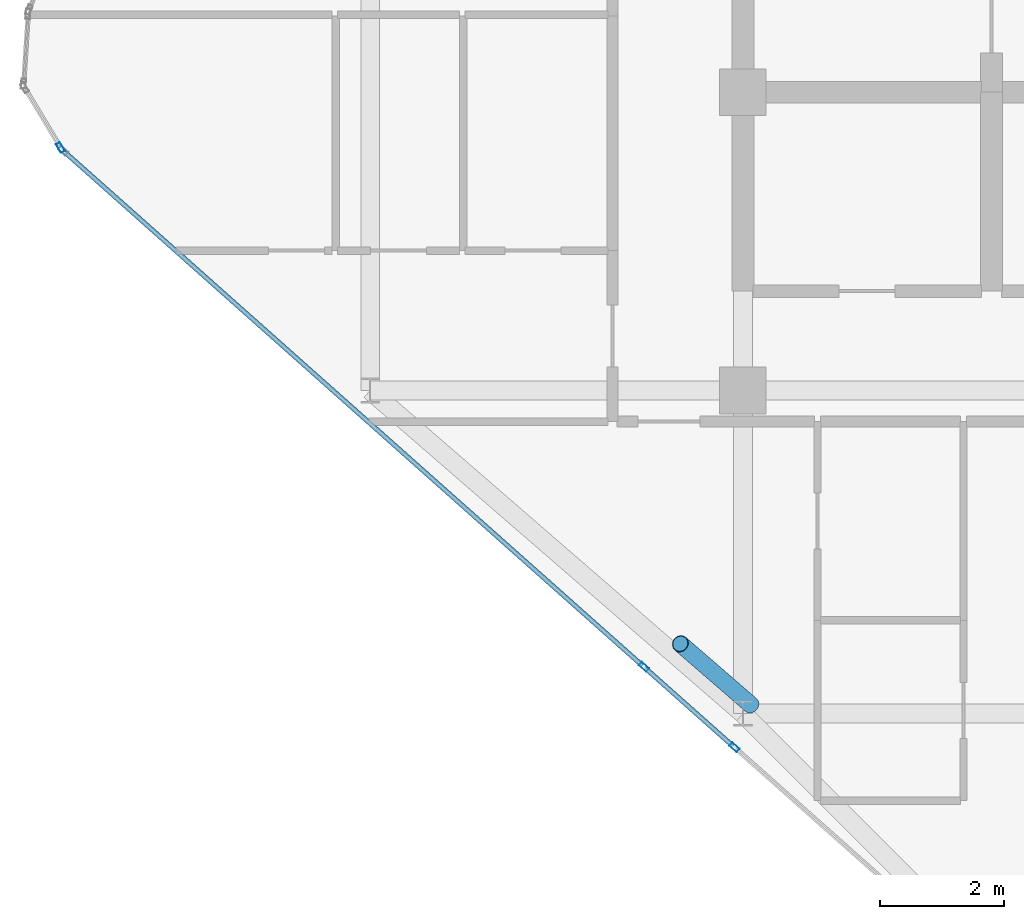
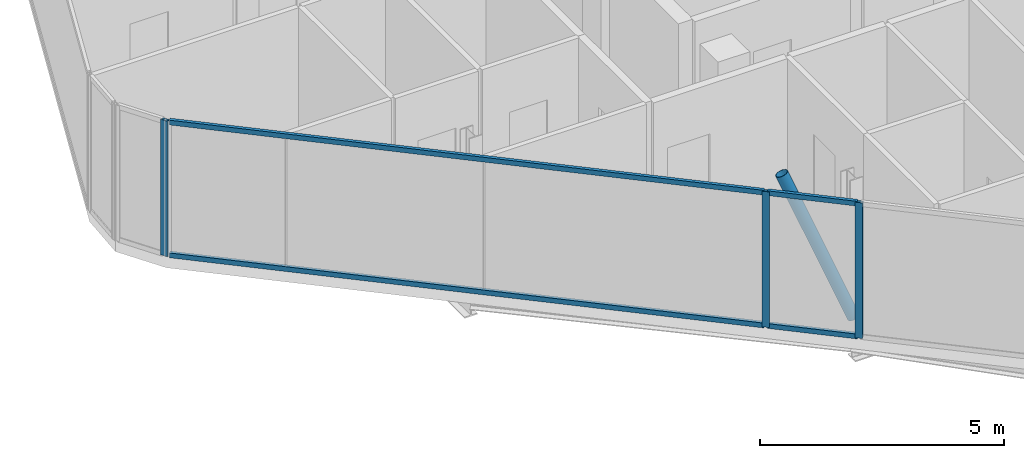
# One storey, part 3 of 27: 8 members, 4 elements without a shape of their own.
"""IFC4 building model written with IfcOpenShell, lengths in metres."""

from ifc_helpers import new_model, si_unit, direction, frame, origin, origin_2d, place, context, subcontext, project, spatial, hollow_rectangle, hollow_circle, extrude, material, layer, layer_set, material_profile, profile_set, type_object, element, aggregate, save


model = new_model("IFC4")

# Units and contexts
model_context = context("Model", 3, precision=1e-05, world=origin(), true_north=direction((0.0, 1.0)))
body_context = subcontext(model_context, "Body", "Model", "MODEL_VIEW")
ifc_project = project(units=[si_unit("LENGTHUNIT", "METRE"), si_unit("AREAUNIT", "SQUARE_METRE"), si_unit("VOLUMEUNIT", "CUBIC_METRE"), si_unit("PLANEANGLEUNIT", "RADIAN"), si_unit("MASSUNIT", "GRAM", prefix="KILO")], contexts=[model_context])

# Site, building, storey
site_placement = place(None, origin())
site = spatial("IfcSite", under=ifc_project, at=site_placement, CompositionType="ELEMENT")
building_placement = place(site_placement, origin())
building = spatial("IfcBuilding", under=site, at=building_placement, Name="Keshet Zoharim Tower", CompositionType="ELEMENT")
storey_placement = place(building_placement, frame((0.0, 0.0, 269.5)))
storey = spatial("IfcBuildingStorey", under=building, at=storey_placement, Name="L67", CompositionType="ELEMENT", Elevation=269.5)

# Curtain wall, member
ifc_material_1 = material(Name="Aluminium 6063-T6", Category="aluminium")
ifc_layer = layer(ifc_material_1, 0.260009765625)
ifc_layer_set = layer_set([ifc_layer], Name="Aluminium 6063-T6")
curtain_wall_type = type_object("IfcCurtainWallType", Name="CW-SYS-06", PredefinedType="NOTDEFINED", material=ifc_layer_set)
curtain_wall_1_placement = place(storey_placement, origin())
curtain_wall_1 = element("IfcCurtainWall", 1, at=curtain_wall_1_placement, inside=storey, type_object=curtain_wall_type, Name="L67 Unitised Curtain Wall 01", PredefinedType="NOTDEFINED")
ifc_material_profile_1 = material_profile(ifc_material_1, hollow_rectangle(XDim=0.074951171875, YDim=0.159912109375, WallThickness=0.00390625, at=origin_2d()), Name="MUL-75x160")
ifc_profile_set_1 = profile_set([ifc_material_profile_1], Name="Aluminium 6063-T6")
member_type_1 = type_object("IfcMemberType", Name="CWM-M15", PredefinedType="MULLION", material=ifc_profile_set_1)
member_1_placement = place(storey_placement, frame((4.016845703125, 21.81005859375, 0.0), z_axis=(0.0, 0.0, 1.0), x_axis=(-0.856826433805, -0.515604947933, 0.0)))
member_1 = element("IfcMember", 2, at=member_1_placement, type_object=member_type_1, Name="CW-06 mullion 1", PredefinedType="MULLION", context=body_context, shape_type="SweptSolid", body=[
    extrude(hollow_rectangle(XDim=0.074951171875, YDim=0.159912109375, WallThickness=0.00390625, at=origin_2d()), origin(), (0.0, 0.0, 1.0), 3.389892578125),
])
aggregate(curtain_wall_1, [member_1])

curtain_wall_2_placement = place(storey_placement, origin())
curtain_wall_2 = element("IfcCurtainWall", 3, at=curtain_wall_2_placement, inside=storey, type_object=curtain_wall_type, Name="L67 Unitised Curtain Wall 16", PredefinedType="NOTDEFINED")
member_2_placement = place(storey_placement, frame((14.863037109375, 12.155029296875, 0.0), z_axis=(0.0, 0.0, 1.0), x_axis=(-0.664362180559, -0.747410792699, 0.0)))
member_2 = element("IfcMember", 4, at=member_2_placement, type_object=member_type_1, Name="CW-06 mullion 2", PredefinedType="MULLION", context=body_context, shape_type="SweptSolid", body=[
    extrude(hollow_rectangle(XDim=0.074951171875, YDim=0.159912109375, WallThickness=0.00390625, at=origin_2d()), origin(), (0.0, 0.0, 1.0), 3.389892578125),
])
aggregate(curtain_wall_2, [member_2])

# Curtain wall, members
curtain_wall_3_placement = place(storey_placement, origin())
curtain_wall_3 = element("IfcCurtainWall", 5, at=curtain_wall_3_placement, inside=storey, type_object=curtain_wall_type, Name="L67 Unitised Curtain Wall 16 Part 2", PredefinedType="NOTDEFINED")
member_3_placement = place(storey_placement, frame((13.40576171875, 13.450439453125, 0.0), z_axis=(0.0, 0.0, 1.0), x_axis=(-0.664338369143, -0.747431957629, 0.0)))
member_3 = element("IfcMember", 6, at=member_3_placement, type_object=member_type_1, Name="CW-06 mullion 2", PredefinedType="MULLION", context=body_context, shape_type="SweptSolid", body=[
    extrude(hollow_rectangle(XDim=0.074951171875, YDim=0.159912109375, WallThickness=0.00390625, at=origin_2d()), origin(), (0.0, 0.0, 1.0), 3.389892578125),
])
ifc_material_profile_2 = material_profile(ifc_material_1, hollow_rectangle(XDim=0.074951171875, YDim=0.1201171875, WallThickness=0.00390625, at=origin_2d()), Name="TRN-75x120")
ifc_profile_set_2 = profile_set([ifc_material_profile_2], Name="Aluminium 6063-T6")
member_type_2 = type_object("IfcMemberType", Name="CWT-T12", PredefinedType="USERDEFINED", material=ifc_profile_set_2)
member_4_placement = place(storey_placement, frame((14.8369140625, 12.178466796875, 0.034912109375), z_axis=(-0.747452318941, 0.664315460387, 0.0), x_axis=(-0.664315460387, -0.747452318941, 0.0)))
member_4 = element("IfcMember", 7, at=member_4_placement, type_object=member_type_2, Name="CW-06 transom 1.1", ObjectType="TRANSOM", PredefinedType="USERDEFINED", context=body_context, shape_type="SweptSolid", body=[
    extrude(hollow_rectangle(XDim=0.074951171875, YDim=0.1201171875, WallThickness=0.00390625, at=origin_2d()), origin(), (0.0, 0.0, 1.0), 1.87939453125),
])
member_5_placement = place(storey_placement, frame((14.8369140625, 12.178466796875, 3.35498046875), z_axis=(-0.747452318941, 0.664315460387, 0.0), x_axis=(-0.664315460387, -0.747452318941, 0.0)))
member_5 = element("IfcMember", 8, at=member_5_placement, type_object=member_type_2, Name="CW-06 transom 1.2", ObjectType="TRANSOM", PredefinedType="USERDEFINED", context=body_context, shape_type="SweptSolid", body=[
    extrude(hollow_rectangle(XDim=0.074951171875, YDim=0.1201171875, WallThickness=0.00390625, at=origin_2d()), origin(), (0.0, 0.0, 1.0), 1.87939453125),
])
aggregate(curtain_wall_3, [member_3, member_4, member_5])

curtain_wall_4_placement = place(storey_placement, origin())
curtain_wall_4 = element("IfcCurtainWall", 9, at=curtain_wall_4_placement, inside=storey, type_object=curtain_wall_type, Name="L67 Unitised Curtain Wall 16 Part 3", PredefinedType="NOTDEFINED")
member_6_placement = place(storey_placement, frame((13.379638671875, 13.4736328125, 0.034912109375), z_axis=(-0.747409318684, 0.66436383883, 0.0), x_axis=(-0.66436383883, -0.747409318684, 0.0)))
member_6 = element("IfcMember", 10, at=member_6_placement, type_object=member_type_2, Name="CW-06 transom 1.1", ObjectType="TRANSOM", PredefinedType="USERDEFINED", context=body_context, shape_type="SweptSolid", body=[
    extrude(hollow_rectangle(XDim=0.074951171875, YDim=0.1201171875, WallThickness=0.00390625, at=origin_2d()), origin(), (0.0, 0.0, 1.0), 12.4326171875),
])
member_7_placement = place(storey_placement, frame((13.379638671875, 13.4736328125, 3.35498046875), z_axis=(-0.747409318684, 0.66436383883, 0.0), x_axis=(-0.66436383883, -0.747409318684, 0.0)))
member_7 = element("IfcMember", 11, at=member_7_placement, type_object=member_type_2, Name="CW-06 transom 1.2", ObjectType="TRANSOM", PredefinedType="USERDEFINED", context=body_context, shape_type="SweptSolid", body=[
    extrude(hollow_rectangle(XDim=0.074951171875, YDim=0.1201171875, WallThickness=0.00390625, at=origin_2d()), origin(), (0.0, 0.0, 1.0), 12.4326171875),
])
aggregate(curtain_wall_4, [member_6, member_7])

# Member
ifc_material_2 = material(Name="Steel S355", Category="steel")
ifc_material_profile_3 = material_profile(ifc_material_2, hollow_circle(Radius=0.136474609375, WallThickness=0.010009765625, at=origin_2d()), Name="CHS273x10")
ifc_profile_set_3 = profile_set([ifc_material_profile_3], Name="Steel S355")
member_type_3 = type_object("IfcMemberType", Name="MB-BR-C273", PredefinedType="BRACE", material=ifc_profile_set_3)
member_8_placement = place(storey_placement, frame((15.1259765625, 12.842041015625, 0.0), z_axis=(-0.305919508672, 0.264888754334, 0.914465528077), x_axis=(-0.654589683411, -0.755984355904, 0.0)))
element("IfcMember", 12, at=member_8_placement, inside=storey, type_object=member_type_3, Name="L67 Perimeter Tube Brace 01", PredefinedType="BRACE", context=body_context, shape_type="SweptSolid", body=[
    extrude(hollow_circle(Radius=0.136474609375, WallThickness=0.010009765625, at=origin_2d()), origin(), (0.0, 0.0, 1.0), 3.70703125),
])

save(model, "model.ifc")
